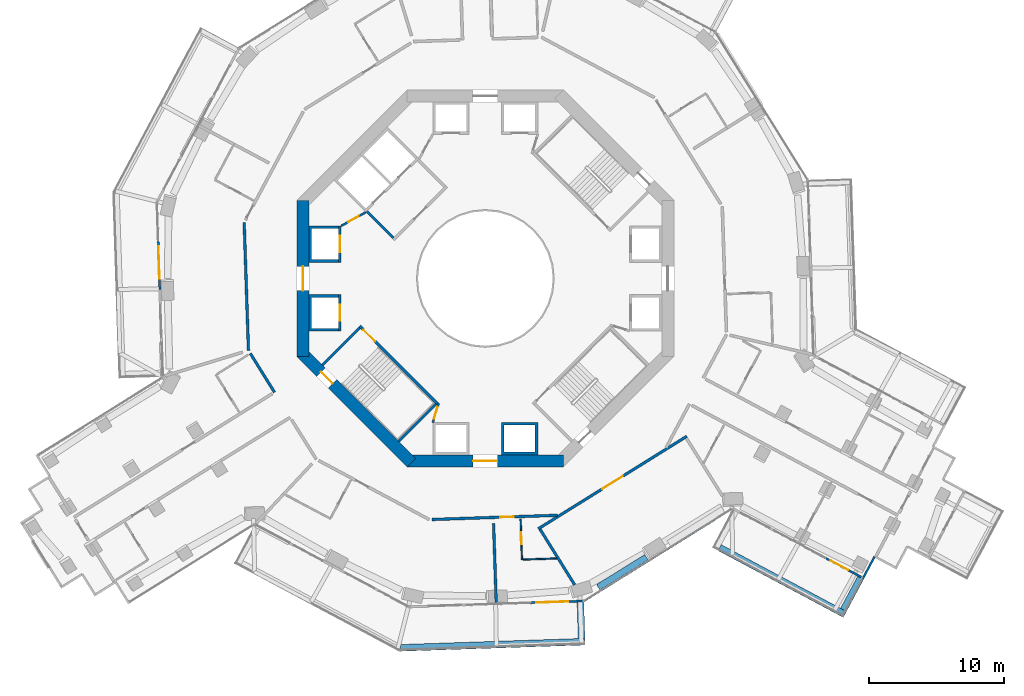
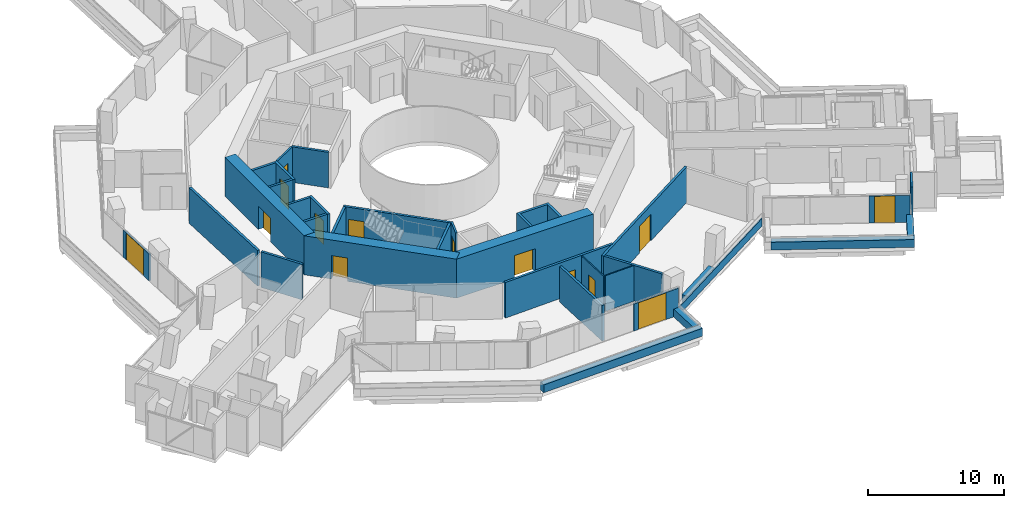
# One storey, part 19 of 27: 32 walls, 14 doors, 14 openings.
"""IFC4 building model written with IfcOpenShell, lengths in metres."""

import ifcopenshell
import ifcopenshell.guid

model = None  # the IFC model being written
_history = None  # IfcOwnerHistory: only IFC2X3 demands one
_inside = {}  # id of a spatial element -> (the spatial element, [elements in it])
_under = {}  # id of a project, library or spatial element -> (it, [spatial elements below it])
_declared = {}  # id of a project -> (the project, [libraries it declares])
_typed = {}  # id of a type object -> (the type object, [elements of that type])
_made_of = {}  # id of a material, layer set ... -> (it, [elements and type objects made of it])


def new_model(schema):
    """Start an empty IFC model of exactly this schema.

    Asked for "IFC4X3", IfcOpenShell would pick the latest addendum, in which some entities
    have other attributes; the version numbers below select the first issue.
    IFC2X3 requires an IfcOwnerHistory on every rooted entity: one is made here for all.
    """
    global model, _history
    if schema == "IFC4X3":
        model = ifcopenshell.file(schema_version=(4, 3, 0, 0))
    else:
        model = ifcopenshell.file(schema=schema)
    _inside.clear()
    _under.clear()
    _declared.clear()
    _typed.clear()
    _made_of.clear()
    _history = None
    if model.schema == "IFC2X3":
        org = make("IfcOrganization", Name="unknown")
        user = make(
            "IfcPersonAndOrganization",
            ThePerson=make("IfcPerson", FamilyName="unknown"),
            TheOrganization=org,
        )
        app = make(
            "IfcApplication",
            ApplicationDeveloper=org,
            Version="unknown",
            ApplicationFullName="unknown",
            ApplicationIdentifier="unknown",
        )
        _history = make(
            "IfcOwnerHistory",
            OwningUser=user,
            OwningApplication=app,
            ChangeAction="ADDED",
            CreationDate=0,
        )
    return model


def make(cls, **values):
    """One entity of the class cls with the attributes given. An attribute that is None is left unset."""
    return model.create_entity(
        cls, **{name: value for name, value in values.items() if value is not None}
    )


def rooted(cls, **values):
    """An entity with a GlobalId (a new one), such as an element, a storey or a relation."""
    return make(cls, GlobalId=ifcopenshell.guid.new(), OwnerHistory=_history, **values)


def si_unit(unit_type, name, prefix=None):
    """IfcSIUnit, for example si_unit("LENGTHUNIT", "METRE", prefix="MILLI")."""
    return make("IfcSIUnit", UnitType=unit_type, Prefix=prefix, Name=name)


def assignment(units):
    """IfcUnitAssignment: the units of a project."""
    return None if units is None else make("IfcUnitAssignment", Units=units)


def point(xyz):
    """IfcCartesianPoint."""
    return None if xyz is None else make("IfcCartesianPoint", Coordinates=xyz)


def direction(xyz):
    """IfcDirection."""
    return None if xyz is None else make("IfcDirection", DirectionRatios=xyz)


def frame(location, z_axis=None, x_axis=None):
    """IfcAxis2Placement3D, a coordinate frame: its origin and axes. An axis left out is left unset."""
    return make(
        "IfcAxis2Placement3D",
        Location=point(location),
        Axis=direction(z_axis),
        RefDirection=direction(x_axis),
    )


def frame_2d(location, x_axis=None):
    """IfcAxis2Placement2D, a coordinate frame in the plane: its origin and x axis."""
    return make(
        "IfcAxis2Placement2D", Location=point(location), RefDirection=direction(x_axis)
    )


def origin():
    """The frame at (0, 0, 0) with its axes left unset."""
    return frame((0.0, 0.0, 0.0))


def place(relative_to, where):
    """IfcLocalPlacement: puts the frame where relative to a parent placement (None: the world)."""
    return make(
        "IfcLocalPlacement", PlacementRelTo=relative_to, RelativePlacement=where
    )


def context(
    kind, dimensions, precision=None, world=None, true_north=None, identifier=None
):
    """IfcGeometricRepresentationContext, for example the 3D "Model" context."""
    return make(
        "IfcGeometricRepresentationContext",
        ContextIdentifier=identifier,
        ContextType=kind,
        CoordinateSpaceDimension=dimensions,
        Precision=precision,
        WorldCoordinateSystem=world,
        TrueNorth=true_north,
    )


def subcontext(parent, identifier, kind, view, scale=None):
    """IfcGeometricRepresentationSubContext, for example "Body" below "Model"."""
    return make(
        "IfcGeometricRepresentationSubContext",
        ContextIdentifier=identifier,
        ContextType=kind,
        ParentContext=parent,
        TargetScale=scale,
        TargetView=view,
    )


def project(units=None, contexts=None):
    """IfcProject with its units and contexts."""
    return rooted(
        "IfcProject",
        Name="project",
        RepresentationContexts=contexts,
        UnitsInContext=assignment(units),
    )


def spatial(cls, under=None, at=None, **own):
    """A site, building, storey or space (cls), placed at a placement, below another one or the project."""
    s = rooted(cls, ObjectPlacement=at, **own)
    if under is not None:
        _under.setdefault(under.id(), (under, []))[1].append(s)
    return s


def polyline(points):
    """IfcPolyline through the points."""
    return make("IfcPolyline", Points=[point(p) for p in points])


def profile(cls, at=None, kind="AREA", **sizes):
    """A parametric profile (cls). Its sizes go by their IFC names, for example OverallWidth=200.0."""
    return make(cls, ProfileType=kind, Position=at, **sizes)


def rectangle(**sizes):
    """IfcRectangleProfileDef."""
    return profile("IfcRectangleProfileDef", **sizes)


def outline(outer, holes=None, kind="AREA"):
    """IfcArbitraryClosedProfileDef: a profile drawn as a closed curve; with holes, ...WithVoids."""
    if holes is None:
        return make("IfcArbitraryClosedProfileDef", ProfileType=kind, OuterCurve=outer)
    return make(
        "IfcArbitraryProfileDefWithVoids",
        ProfileType=kind,
        OuterCurve=outer,
        InnerCurves=holes,
    )


def extrude(swept, where, along, depth):
    """IfcExtrudedAreaSolid: the profile swept, set in the frame where, extruded along a direction by depth."""
    return make(
        "IfcExtrudedAreaSolid",
        SweptArea=swept,
        Position=where,
        ExtrudedDirection=direction(along),
        Depth=depth,
    )


def shape(context_of_items, identifier, shape_type, items):
    """IfcShapeRepresentation: the items that make up one representation, for example the "Body"."""
    return make(
        "IfcShapeRepresentation",
        ContextOfItems=context_of_items,
        RepresentationIdentifier=identifier,
        RepresentationType=shape_type,
        Items=items,
    )


def material(Name=None, Category=None):
    """IfcMaterial."""
    return make("IfcMaterial", Name=Name, Category=Category)


def layer(
    of_material, thickness, ventilated=None, Name=None, Category=None, Priority=None
):
    """IfcMaterialLayer: one layer of a wall or slab, of a material (None: an air gap)."""
    return make(
        "IfcMaterialLayer",
        Material=of_material,
        LayerThickness=thickness,
        IsVentilated=ventilated,
        Name=Name,
        Category=Category,
        Priority=Priority,
    )


def layer_set(layers, Name=None):
    """IfcMaterialLayerSet."""
    return make("IfcMaterialLayerSet", MaterialLayers=layers, LayerSetName=Name)


def made_of(thing, what):
    """Note that an element or type object is made of a material, layer set ...; save() writes the relation."""
    if what is not None:
        _made_of.setdefault(what.id(), (what, []))[1].append(thing)
    return thing


def type_object(cls, material=None, **own):
    """A type object (cls), such as IfcWallType, which elements share."""
    return made_of(rooted(cls, **own), material)


def element(
    cls,
    number,
    at=None,
    inside=None,
    cuts=None,
    type_object=None,
    material=None,
    context=None,
    identifier="Body",
    shape_type=None,
    held_by="IfcProductDefinitionShape",
    body=None,
    shapes=None,
    **own,
):
    """One element of the class cls, such as IfcWall. Its Tag is "e" and its number.

    at: its placement. inside: the storey or other place that contains it. cuts: it is an
    opening in that element (IfcRelVoidsElement). A single representation is given by context,
    identifier, shape_type and body (its items); several are given by shapes. held_by: the class
    of the entity that holds the representations. save() writes the other relations.
    """
    e = rooted(cls, Tag="e%d" % number, ObjectPlacement=at, **own)
    if body is not None:
        shapes = [shape(context, identifier, shape_type, body)]
    if shapes is not None:
        e.Representation = make(held_by, Representations=shapes)
    if inside is not None:
        _inside.setdefault(inside.id(), (inside, []))[1].append(e)
    if cuts is not None:
        rooted(
            "IfcRelVoidsElement", RelatingBuildingElement=cuts, RelatedOpeningElement=e
        )
    if type_object is not None:
        _typed.setdefault(type_object.id(), (type_object, []))[1].append(e)
    return made_of(e, material)


def fill(opening, filler):
    """IfcRelFillsElement: the door or window that sits in an opening."""
    return rooted(
        "IfcRelFillsElement",
        RelatingOpeningElement=opening,
        RelatedBuildingElement=filler,
    )


def aggregate(whole, parts):
    """IfcRelAggregates: a whole, such as a stair, and the parts it consists of."""
    return rooted("IfcRelAggregates", RelatingObject=whole, RelatedObjects=parts)


def save(model, path):
    """Write the relations noted so far, then the file.

    IfcRelAggregates (storeys below a building ...), IfcRelContainedInSpatialStructure (elements
    in a storey), IfcRelDefinesByType, IfcRelAssociatesMaterial and IfcRelDeclares: one each for
    every whole, place, type object, material and project.
    """
    for whole, parts in _under.values():
        aggregate(whole, parts)
    for where, things in _inside.values():
        rooted(
            "IfcRelContainedInSpatialStructure",
            RelatedElements=things,
            RelatingStructure=where,
        )
    for kind, things in _typed.values():
        rooted("IfcRelDefinesByType", RelatedObjects=things, RelatingType=kind)
    for what, things in _made_of.values():
        rooted("IfcRelAssociatesMaterial", RelatedObjects=things, RelatingMaterial=what)
    for by, libraries in _declared.values():
        rooted("IfcRelDeclares", RelatingContext=by, RelatedDefinitions=libraries)
    model.write(path)


model = new_model("IFC4")

# Units and contexts
model_context = context("Model", 3, precision=1e-05, world=origin(), true_north=direction((0.0, 1.0)))
body_context = subcontext(model_context, "Body", "Model", "MODEL_VIEW")
ifc_project = project(units=[si_unit("LENGTHUNIT", "METRE"), si_unit("AREAUNIT", "SQUARE_METRE"), si_unit("VOLUMEUNIT", "CUBIC_METRE"), si_unit("PLANEANGLEUNIT", "RADIAN"), si_unit("MASSUNIT", "GRAM", prefix="KILO")], contexts=[model_context])

# Site, building, storey
site_placement = place(None, origin())
site = spatial("IfcSite", under=ifc_project, at=site_placement, CompositionType="ELEMENT")
building_placement = place(site_placement, origin())
building = spatial("IfcBuilding", under=site, at=building_placement, Name="Verdalira Terraces Hotel", CompositionType="ELEMENT")
storey_placement = place(building_placement, frame((0.0, 0.0, 42.5)))
storey = spatial("IfcBuildingStorey", under=building, at=storey_placement, Name="L08", CompositionType="ELEMENT", Elevation=42.5)

# Walls
ifc_material_1 = material(Name="Concrete C40", Category="concrete")
ifc_layer_1 = layer(ifc_material_1, 0.5)
ifc_layer_set_1 = layer_set([ifc_layer_1], Name="Balcony planter trough with tree")
wall_type_1 = type_object("IfcWallType", Name="Balcony planter trough with tree", PredefinedType="SOLIDWALL", material=ifc_layer_set_1)
wall_1_placement = place(storey_placement, frame((-6.307861, -27.435059, 0.0), z_axis=(0.0, 0.0, 1.0), x_axis=(0.999438769, 0.033498455, 0.0)))
element("IfcWall", 1, at=wall_1_placement, inside=storey, type_object=wall_type_1, Name="Balcony planter", PredefinedType="SOLIDWALL", context=body_context, shape_type="SweptSolid", body=[
    extrude(rectangle(XDim=13.723633, YDim=0.5, at=frame_2d((6.861816, 0.0))), origin(), (0.0, 0.0, 1.0), 0.699951),
])
wall_2_placement = place(storey_placement, frame((7.149658, -26.733887, 0.0), z_axis=(0.0, 0.0, 1.0), x_axis=(-0.033468433, 0.999439775, 0.0)))
element("IfcWall", 2, at=wall_2_placement, inside=storey, type_object=wall_type_1, Name="Balcony planter", PredefinedType="SOLIDWALL", context=body_context, shape_type="SweptSolid", body=[
    extrude(rectangle(XDim=2.698975, YDim=0.5, at=frame_2d((1.349609, 0.0))), origin(), (0.0, 0.0, 1.0), 0.699951),
])
wall_3_placement = place(storey_placement, frame((17.395996, -19.991455, 0.0), z_axis=(0.0, 0.0, 1.0), x_axis=(0.882285624, -0.470714433, 0.0)))
element("IfcWall", 3, at=wall_3_placement, inside=storey, type_object=wall_type_1, Name="Balcony planter", PredefinedType="SOLIDWALL", context=body_context, shape_type="SweptSolid", body=[
    extrude(rectangle(XDim=10.542725, YDim=0.5, at=frame_2d((5.271484, 0.0))), origin(), (0.0, 0.0, 1.0), 0.699951),
])
wall_4_placement = place(storey_placement, frame((26.594971, -24.615723, 0.0), z_axis=(0.0, 0.0, 1.0), x_axis=(0.470757253, 0.882262777, 0.0)))
element("IfcWall", 4, at=wall_4_placement, inside=storey, type_object=wall_type_1, Name="Balcony planter", PredefinedType="SOLIDWALL", context=body_context, shape_type="SweptSolid", body=[
    extrude(rectangle(XDim=2.698975, YDim=0.5, at=frame_2d((1.349609, 0.0))), origin(), (0.0, 0.0, 1.0), 0.699951),
])

# Wall, opening, door
ifc_material_2 = material(Name="Moisture-resistant gypsum board partition")
ifc_layer_2 = layer(ifc_material_2, 0.10009765625)
ifc_layer_set_2 = layer_set([ifc_layer_2], Name="Bathroom partition 100 mm")
wall_type_2 = type_object("IfcWallType", Name="Bathroom partition 100 mm", PredefinedType="PARTITIONING", material=ifc_layer_set_2)
wall_5_placement = place(storey_placement, frame((2.618896, -17.880615, 0.0), z_axis=(0.0, 0.0, 1.0), x_axis=(0.033528894, -0.999437749, 0.0)))
wall_5 = element("IfcWall", 5, at=wall_5_placement, inside=storey, type_object=wall_type_2, Name="Bathroom partition", PredefinedType="PARTITIONING", context=body_context, shape_type="SweptSolid", body=[
    extrude(rectangle(XDim=3.0, YDim=0.100098, at=frame_2d((1.5, 0.0))), origin(), (0.0, 0.0, 1.0), 3.189941),
])
opening_1_placement = place(wall_5_placement, frame((0.949951, 0.0, 0.0)))
opening_1 = element("IfcOpeningElement", 6, at=opening_1_placement, cuts=wall_5, Name="Opening L08-120", PredefinedType="OPENING", context=body_context, shape_type="SweptSolid", body=[
    extrude(rectangle(XDim=0.899902, YDim=2.100098, at=frame_2d((0.449951, 1.050049))), frame((0.0, 0.060059, 0.0), z_axis=(0.0, -1.0, 0.0), x_axis=(1.0, 0.0, 0.0)), (0.0, 0.0, 1.0), 0.120117),
])
ifc_material_3 = material(Name="Timber door", Category="wood")
door_type_1 = type_object("IfcDoorType", Name="Bathroom door 900 x 2100", OperationType="NOTDEFINED", PredefinedType="DOOR", material=ifc_material_3)
door_1_placement = place(opening_1_placement, origin())
door_1 = element("IfcDoor", 7, at=door_1_placement, inside=storey, type_object=door_type_1, Name="Bathroom door 0810", OperationType="SINGLE_SWING_RIGHT", OverallHeight=2.10009765625, OverallWidth=0.89990234375, PredefinedType="DOOR", context=body_context, shape_type="SweptSolid", body=[
    extrude(rectangle(XDim=0.899902, YDim=2.100098, at=frame_2d((0.449951, 1.050049))), frame((0.0, 0.024902, 0.0), z_axis=(0.0, -1.0, 0.0), x_axis=(1.0, 0.0, 0.0)), (0.0, 0.0, 1.0), 0.050049),
])
fill(opening_1, door_1)

# Walls
wall_6_placement = place(storey_placement, frame((5.314209, -20.791992, 0.0), z_axis=(0.0, 0.0, 1.0), x_axis=(-0.999440448, -0.033448345, 0.0)))
element("IfcWall", 8, at=wall_6_placement, inside=storey, type_object=wall_type_2, Name="Bathroom partition", PredefinedType="PARTITIONING", context=body_context, shape_type="SweptSolid", body=[
    extrude(rectangle(XDim=2.496338, YDim=0.100098, at=frame_2d((1.248047, 0.0))), origin(), (0.0, 0.0, 1.0), 3.189941),
])
ifc_material_4 = material(Name="Concrete C50", Category="concrete")
ifc_layer_3 = layer(ifc_material_4, 0.199951171875)
ifc_layer_set_3 = layer_set([ifc_layer_3], Name="Core RC wall 200 C50")
wall_type_3 = type_object("IfcWallType", Name="Core RC wall 200 C50", PredefinedType="SOLIDWALL", material=ifc_layer_set_3)
wall_7_placement = place(storey_placement, origin())
element("IfcWall", 9, at=wall_7_placement, inside=storey, type_object=wall_type_3, Name="L08 shaft wall W1", PredefinedType="SOLIDWALL", context=body_context, shape_type="SweptSolid", body=[
    extrude(outline(polyline([(-13.100098, 3.899902), (-10.899902, 3.899902), (-10.899902, 3.699951), (-12.899902, 3.699951), (-12.899902, 1.399902), (-10.899902, 1.399902), (-10.899902, 1.199951), (-13.100098, 1.199951), (-13.100098, 3.899902)])), origin(), (0.0, 0.0, 1.0), 3.189941),
])

# Wall, opening, door
wall_8_placement = place(storey_placement, frame((-10.800049, 1.199951, 0.0), z_axis=(0.0, 0.0, 1.0), x_axis=(0.0, 1.0, 0.0)))
wall_8 = element("IfcWall", 10, at=wall_8_placement, inside=storey, type_object=wall_type_3, Name="L08 shaft front wall W1", PredefinedType="SOLIDWALL", context=body_context, shape_type="SweptSolid", body=[
    extrude(rectangle(XDim=2.699951, YDim=0.199951, at=frame_2d((1.350098, 0.0))), origin(), (0.0, 0.0, 1.0), 3.189941),
])
opening_2_placement = place(wall_8_placement, frame((0.75, 0.0, 0.0)))
opening_2 = element("IfcOpeningElement", 11, at=opening_2_placement, cuts=wall_8, Name="Opening LD-L08-805", PredefinedType="OPENING", context=body_context, shape_type="SweptSolid", body=[
    extrude(rectangle(XDim=1.199951, YDim=2.100098, at=frame_2d((0.600098, 1.050049))), frame((0.0, 0.109863, 0.0), z_axis=(0.0, -1.0, 0.0), x_axis=(1.0, 0.0, 0.0)), (0.0, 0.0, 1.0), 0.219971),
])
ifc_material_5 = material(Name="Stainless steel", Category="steel")
door_type_2 = type_object("IfcDoorType", Name="Landing door 1200 x 2100", OperationType="NOTDEFINED", PredefinedType="DOOR", material=ifc_material_5)
door_2_placement = place(opening_2_placement, origin())
door_2 = element("IfcDoor", 12, at=door_2_placement, inside=storey, type_object=door_type_2, Name="Lift landing door LR5 L08", OperationType="DOUBLE_DOOR_SLIDING", OverallHeight=2.10009765625, OverallWidth=1.199951171875, PredefinedType="DOOR", context=body_context, shape_type="SweptSolid", body=[
    extrude(rectangle(XDim=1.199951, YDim=2.100098, at=frame_2d((0.600098, 1.050049))), frame((0.0, 0.024902, 0.0), z_axis=(0.0, -1.0, 0.0), x_axis=(1.0, 0.0, 0.0)), (0.0, 0.0, 1.0), 0.050049),
])
fill(opening_2, door_2)

# Wall
wall_9_placement = place(storey_placement, origin())
element("IfcWall", 13, at=wall_9_placement, inside=storey, type_object=wall_type_3, Name="L08 shaft wall W2", PredefinedType="SOLIDWALL", context=body_context, shape_type="SweptSolid", body=[
    extrude(outline(polyline([(-13.100098, -3.899902), (-13.100098, -1.199951), (-10.899902, -1.199951), (-10.899902, -1.399902), (-12.899902, -1.399902), (-12.899902, -3.699951), (-10.899902, -3.699951), (-10.899902, -3.899902), (-13.100098, -3.899902)])), origin(), (0.0, 0.0, 1.0), 3.189941),
])

# Wall, opening, door
wall_10_placement = place(storey_placement, frame((-10.800049, -1.199951, 0.0), z_axis=(0.0, 0.0, 1.0), x_axis=(0.0, -1.0, 0.0)))
wall_10 = element("IfcWall", 14, at=wall_10_placement, inside=storey, type_object=wall_type_3, Name="L08 shaft front wall W2", PredefinedType="SOLIDWALL", context=body_context, shape_type="SweptSolid", body=[
    extrude(rectangle(XDim=2.699951, YDim=0.199951, at=frame_2d((1.350098, 0.0))), origin(), (0.0, 0.0, 1.0), 3.189941),
])
opening_3_placement = place(wall_10_placement, frame((0.75, 0.0, 0.0)))
opening_3 = element("IfcOpeningElement", 15, at=opening_3_placement, cuts=wall_10, Name="Opening LD-L08-806", PredefinedType="OPENING", context=body_context, shape_type="SweptSolid", body=[
    extrude(rectangle(XDim=1.199951, YDim=2.100098, at=frame_2d((0.600098, 1.050049))), frame((0.0, 0.109863, 0.0), z_axis=(0.0, -1.0, 0.0), x_axis=(1.0, 0.0, 0.0)), (0.0, 0.0, 1.0), 0.219971),
])
door_3_placement = place(opening_3_placement, origin())
door_3 = element("IfcDoor", 16, at=door_3_placement, inside=storey, type_object=door_type_2, Name="Lift landing door LR6 L08", OperationType="DOUBLE_DOOR_SLIDING", OverallHeight=2.10009765625, OverallWidth=1.199951171875, PredefinedType="DOOR", context=body_context, shape_type="SweptSolid", body=[
    extrude(rectangle(XDim=1.199951, YDim=2.100098, at=frame_2d((0.600098, 1.050049))), frame((0.0, 0.024902, 0.0), z_axis=(0.0, -1.0, 0.0), x_axis=(1.0, 0.0, 0.0)), (0.0, 0.0, 1.0), 0.050049),
])
fill(opening_3, door_3)

# Wall
wall_11_placement = place(storey_placement, origin())
element("IfcWall", 17, at=wall_11_placement, inside=storey, type_object=wall_type_3, Name="L08 shaft wall S2", PredefinedType="SOLIDWALL", context=body_context, shape_type="SweptSolid", body=[
    extrude(outline(polyline([(3.899902, -10.699951), (3.899902, -13.100098), (1.199951, -13.100098), (1.199951, -10.699951), (3.899902, -10.699951)]), holes=[polyline([(1.399902, -12.899902), (3.699951, -12.899902), (3.699951, -10.899902), (1.399902, -10.899902), (1.399902, -12.899902)])]), origin(), (0.0, 0.0, 1.0), 3.189941),
])

# Wall, opening, door
wall_12_placement = place(storey_placement, frame((-3.5354, -9.33374, 0.0), z_axis=(0.0, 0.0, 1.0), x_axis=(-0.707106781, 0.707106781, 0.0)))
wall_12 = element("IfcWall", 18, at=wall_12_placement, inside=storey, type_object=wall_type_3, Name="L08 stair ST2 front wall", PredefinedType="SOLIDWALL", context=body_context, shape_type="SweptSolid", body=[
    extrude(rectangle(XDim=8.200195, YDim=0.199951, at=frame_2d((4.100098, 0.0))), origin(), (0.0, 0.0, 1.0), 3.189941),
])
opening_4_placement = place(wall_12_placement, frame((6.600098, 0.0, 0.0)))
opening_4 = element("IfcOpeningElement", 19, at=opening_4_placement, cuts=wall_12, Name="Opening L08-810", PredefinedType="OPENING", context=body_context, shape_type="SweptSolid", body=[
    extrude(rectangle(XDim=1.199951, YDim=2.100098, at=frame_2d((0.600098, 1.050049))), frame((0.0, 0.109863, 0.0), z_axis=(0.0, -1.0, 0.0), x_axis=(1.0, 0.0, 0.0)), (0.0, 0.0, 1.0), 0.219971),
])
ifc_material_6 = material(Name="Steel fire door", Category="steel")
door_type_3 = type_object("IfcDoorType", Name="Stair door 1200 x 2100", OperationType="NOTDEFINED", PredefinedType="DOOR", material=ifc_material_6)
door_4_placement = place(opening_4_placement, origin())
door_4 = element("IfcDoor", 20, at=door_4_placement, inside=storey, type_object=door_type_3, Name="Stair door ST2 L08", OperationType="SINGLE_SWING_RIGHT", OverallHeight=2.10009765625, OverallWidth=1.199951171875, PredefinedType="DOOR", context=body_context, shape_type="SweptSolid", body=[
    extrude(rectangle(XDim=1.199951, YDim=2.100098, at=frame_2d((0.600098, 1.050049))), frame((0.0, 0.024902, 0.0), z_axis=(0.0, -1.0, 0.0), x_axis=(1.0, 0.0, 0.0)), (0.0, 0.0, 1.0), 0.050049),
])
fill(opening_4, door_4)

# Walls
for number, where, z_axis, x_axis, name in (
    (21, (-9.33374, -3.677002, 0.0), (0.0, 0.0, 1.0), (-0.707106781, -0.707106781, 0.0), "L08 stair ST2 end wall 1"),
    (22, (-3.677002, -9.33374, 0.0), (0.0, 0.0, 1.0), (-0.707106781, -0.707106781, 0.0), "L08 stair ST2 end wall 2"),
):
    element("IfcWall", number, at=place(storey_placement, frame(where, z_axis=z_axis, x_axis=x_axis)), inside=storey, type_object=wall_type_3, Name=name, PredefinedType="SOLIDWALL", context=body_context, shape_type="SweptSolid", body=[
        extrude(rectangle(XDim=3.900146, YDim=0.199951, at=frame_2d((1.950195, 0.0))), origin(), (0.0, 0.0, 1.0), 3.189941),
    ])
wall_13_placement = place(storey_placement, frame((-6.823486, 3.005127, 0.0), z_axis=(0.0, 0.0, 1.0), x_axis=(-0.707106781, 0.707106781, 0.0)))
element("IfcWall", 23, at=wall_13_placement, inside=storey, type_object=wall_type_3, Name="L08 fire lobby wall", PredefinedType="SOLIDWALL", context=body_context, shape_type="SweptSolid", body=[
    extrude(rectangle(XDim=2.800049, YDim=0.199951, at=frame_2d((1.399902, 0.0))), origin(), (0.0, 0.0, 1.0), 3.189941),
])

# Wall, opening, door
ifc_material_7 = material(Name="Gypsum board partition")
ifc_layer_4 = layer(ifc_material_7, 0.14990234375)
ifc_layer_set_4 = layer_set([ifc_layer_4], Name="Core partition 150 mm")
wall_type_4 = type_object("IfcWallType", Name="Core partition 150 mm", PredefinedType="PARTITIONING", material=ifc_layer_set_4)
wall_14_placement = place(storey_placement, frame((-8.874268, 4.914307, 0.0), z_axis=(0.0, 0.0, 1.0), x_axis=(-0.874129705, -0.485692555, 0.0)))
wall_14 = element("IfcWall", 24, at=wall_14_placement, inside=storey, type_object=wall_type_4, Name="Room partition L08", PredefinedType="PARTITIONING", context=body_context, shape_type="SweptSolid", body=[
    extrude(rectangle(XDim=2.088623, YDim=0.149902, at=frame_2d((1.044434, 0.0))), origin(), (0.0, 0.0, 1.0), 3.189941),
])
opening_5_placement = place(wall_14_placement, frame((0.594238, 0.0, 0.0)))
opening_5 = element("IfcOpeningElement", 25, at=opening_5_placement, cuts=wall_14, Name="Opening L08-822", PredefinedType="OPENING", context=body_context, shape_type="SweptSolid", body=[
    extrude(rectangle(XDim=0.899902, YDim=2.100098, at=frame_2d((0.449951, 1.050049))), frame((0.0, 0.084961, 0.0), z_axis=(0.0, -1.0, 0.0), x_axis=(1.0, 0.0, 0.0)), (0.0, 0.0, 1.0), 0.169922),
])
ifc_material_8 = material(Name="Steel fire door", Category="steel")
door_type_4 = type_object("IfcDoorType", Name="Core room door 900 x 2100", OperationType="NOTDEFINED", PredefinedType="DOOR", material=ifc_material_8)
door_5_placement = place(opening_5_placement, origin())
door_5 = element("IfcDoor", 26, at=door_5_placement, inside=storey, type_object=door_type_4, Name="Door L08 room3", OperationType="SINGLE_SWING_LEFT", OverallHeight=2.10009765625, OverallWidth=0.89990234375, PredefinedType="DOOR", context=body_context, shape_type="SweptSolid", body=[
    extrude(rectangle(XDim=0.899902, YDim=2.100098, at=frame_2d((0.449951, 1.050049))), frame((0.0, 0.024902, 0.0), z_axis=(0.0, -1.0, 0.0), x_axis=(1.0, 0.0, 0.0)), (0.0, 0.0, 1.0), 0.050049),
])
fill(opening_5, door_5)

wall_15_placement = place(storey_placement, frame((-3.464844, -9.263184, 0.0), z_axis=(0.0, 0.0, 1.0), x_axis=(-0.289808785, -0.957084567, 0.0)))
wall_15 = element("IfcWall", 27, at=wall_15_placement, inside=storey, type_object=wall_type_4, Name="Room partition L08", PredefinedType="PARTITIONING", context=body_context, shape_type="SweptSolid", body=[
    extrude(rectangle(XDim=1.501221, YDim=0.149902, at=frame_2d((0.750488, 0.0))), origin(), (0.0, 0.0, 1.0), 3.189941),
])
opening_6_placement = place(wall_15_placement, frame((0.300781, 0.0, 0.0)))
opening_6 = element("IfcOpeningElement", 28, at=opening_6_placement, cuts=wall_15, Name="Opening L08-823", PredefinedType="OPENING", context=body_context, shape_type="SweptSolid", body=[
    extrude(rectangle(XDim=0.899902, YDim=2.100098, at=frame_2d((0.449951, 1.050049))), frame((0.0, 0.084961, 0.0), z_axis=(0.0, -1.0, 0.0), x_axis=(1.0, 0.0, 0.0)), (0.0, 0.0, 1.0), 0.169922),
])
door_6_placement = place(opening_6_placement, origin())
door_6 = element("IfcDoor", 29, at=door_6_placement, inside=storey, type_object=door_type_4, Name="Door L08 room5", OperationType="SINGLE_SWING_LEFT", OverallHeight=2.10009765625, OverallWidth=0.89990234375, PredefinedType="DOOR", context=body_context, shape_type="SweptSolid", body=[
    extrude(rectangle(XDim=0.899902, YDim=2.100098, at=frame_2d((0.449951, 1.050049))), frame((0.0, 0.024902, 0.0), z_axis=(0.0, -1.0, 0.0), x_axis=(1.0, 0.0, 0.0)), (0.0, 0.0, 1.0), 0.050049),
])
fill(opening_6, door_6)

ifc_material_9 = material(Name="Concrete C70", Category="concrete")
ifc_layer_5 = layer(ifc_material_9, 0.89990234375)
ifc_layer_set_5 = layer_set([ifc_layer_5], Name="Core wall 900 C70")
wall_type_5 = type_object("IfcWallType", Name="Core wall 900 C70", PredefinedType="SHEAR", material=ifc_layer_set_5)
wall_16_placement = place(storey_placement, frame((-13.550049, 5.799072, 0.0), z_axis=(0.0, 0.0, 1.0), x_axis=(0.0, -1.0, 0.0)))
wall_16 = element("IfcWall", 30, at=wall_16_placement, inside=storey, type_object=wall_type_5, Name="Core wall CW-L08-5", PredefinedType="SHEAR", context=body_context, shape_type="SweptSolid", body=[
    extrude(rectangle(XDim=11.598145, YDim=0.899902, at=frame_2d((5.799072, 0.0))), origin(), (0.0, 0.0, 1.0), 3.5),
])
opening_7_placement = place(wall_16_placement, frame((4.898926, 0.0, 0.0)))
opening_7 = element("IfcOpeningElement", 31, at=opening_7_placement, cuts=wall_16, Name="Opening L08-814", PredefinedType="OPENING", context=body_context, shape_type="SweptSolid", body=[
    extrude(rectangle(XDim=1.800049, YDim=2.100098, at=frame_2d((0.899902, 1.050049))), frame((0.0, 0.459961, 0.0), z_axis=(0.0, -1.0, 0.0), x_axis=(1.0, 0.0, 0.0)), (0.0, 0.0, 1.0), 0.919922),
])
ifc_material_10 = material(Name="Steel fire door", Category="steel")
door_type_5 = type_object("IfcDoorType", Name="Core entry door pair 1800 x 2100", OperationType="NOTDEFINED", PredefinedType="DOOR", material=ifc_material_10)
door_7_placement = place(opening_7_placement, origin())
door_7 = element("IfcDoor", 32, at=door_7_placement, inside=storey, type_object=door_type_5, Name="Core entry door L08 4", OperationType="DOUBLE_DOOR_SINGLE_SWING", OverallHeight=2.10009765625, OverallWidth=1.800048828125, PredefinedType="DOOR", context=body_context, shape_type="SweptSolid", body=[
    extrude(rectangle(XDim=1.800049, YDim=2.100098, at=frame_2d((0.899902, 1.050049))), frame((0.0, 0.024902, 0.0), z_axis=(0.0, -1.0, 0.0), x_axis=(1.0, 0.0, 0.0)), (0.0, 0.0, 1.0), 0.050049),
])
fill(opening_7, door_7)

wall_17_placement = place(storey_placement, frame((-13.681885, -5.480713, 0.0), z_axis=(0.0, 0.0, 1.0), x_axis=(0.707106781, -0.707106781, 0.0)))
wall_17 = element("IfcWall", 33, at=wall_17_placement, inside=storey, type_object=wall_type_5, Name="Core wall CW-L08-6", PredefinedType="SHEAR", context=body_context, shape_type="SweptSolid", body=[
    extrude(rectangle(XDim=11.598145, YDim=0.899902, at=frame_2d((5.799072, 0.0))), origin(), (0.0, 0.0, 1.0), 3.5),
])
opening_8_placement = place(wall_17_placement, frame((2.099121, 0.0, 0.0)))
opening_8 = element("IfcOpeningElement", 34, at=opening_8_placement, cuts=wall_17, Name="Opening L08-817", PredefinedType="OPENING", context=body_context, shape_type="SweptSolid", body=[
    extrude(rectangle(XDim=1.199951, YDim=2.100098, at=frame_2d((0.600098, 1.050049))), frame((0.0, 0.459961, 0.0), z_axis=(0.0, -1.0, 0.0), x_axis=(1.0, 0.0, 0.0)), (0.0, 0.0, 1.0), 0.919922),
])
door_8_placement = place(opening_8_placement, origin())
door_8 = element("IfcDoor", 35, at=door_8_placement, inside=storey, type_object=door_type_3, Name="Stair exit door ST2 L08", OperationType="SINGLE_SWING_LEFT", OverallHeight=2.10009765625, OverallWidth=1.199951171875, PredefinedType="DOOR", context=body_context, shape_type="SweptSolid", body=[
    extrude(rectangle(XDim=1.199951, YDim=2.100098, at=frame_2d((0.600098, 1.050049))), frame((0.0, 0.024902, 0.0), z_axis=(0.0, -1.0, 0.0), x_axis=(1.0, 0.0, 0.0)), (0.0, 0.0, 1.0), 0.050049),
])
fill(opening_8, door_8)

wall_18_placement = place(storey_placement, frame((-5.799072, -13.550049, 0.0), z_axis=(0.0, 0.0, 1.0), x_axis=(1.0, 0.0, 0.0)))
wall_18 = element("IfcWall", 36, at=wall_18_placement, inside=storey, type_object=wall_type_5, Name="Core wall CW-L08-7", PredefinedType="SHEAR", context=body_context, shape_type="SweptSolid", body=[
    extrude(rectangle(XDim=11.598145, YDim=0.899902, at=frame_2d((5.799072, 0.0))), origin(), (0.0, 0.0, 1.0), 3.5),
])
opening_9_placement = place(wall_18_placement, frame((4.898926, 0.0, 0.0)))
opening_9 = element("IfcOpeningElement", 37, at=opening_9_placement, cuts=wall_18, Name="Opening L08-815", PredefinedType="OPENING", context=body_context, shape_type="SweptSolid", body=[
    extrude(rectangle(XDim=1.800049, YDim=2.100098, at=frame_2d((0.899902, 1.050049))), frame((0.0, 0.459961, 0.0), z_axis=(0.0, -1.0, 0.0), x_axis=(1.0, 0.0, 0.0)), (0.0, 0.0, 1.0), 0.919922),
])
door_9_placement = place(opening_9_placement, origin())
door_9 = element("IfcDoor", 38, at=door_9_placement, inside=storey, type_object=door_type_5, Name="Core entry door L08 6", OperationType="DOUBLE_DOOR_SINGLE_SWING", OverallHeight=2.10009765625, OverallWidth=1.800048828125, PredefinedType="DOOR", context=body_context, shape_type="SweptSolid", body=[
    extrude(rectangle(XDim=1.800049, YDim=2.100098, at=frame_2d((0.899902, 1.050049))), frame((0.0, 0.024902, 0.0), z_axis=(0.0, -1.0, 0.0), x_axis=(1.0, 0.0, 0.0)), (0.0, 0.0, 1.0), 0.050049),
])
fill(opening_9, door_9)

# Walls
ifc_material_11 = material(Name="Fire-rated gypsum board wall")
ifc_layer_6 = layer(ifc_material_11, 0.199951171875)
ifc_layer_set_6 = layer_set([ifc_layer_6], Name="Demising wall 200 mm")
wall_type_6 = type_object("IfcWallType", Name="Demising wall 200 mm", PredefinedType="SOLIDWALL", material=ifc_layer_set_6)
wall_19_placement = place(storey_placement, frame((0.610107, -18.195312, 0.0), z_axis=(0.0, 0.0, 1.0), x_axis=(0.033460809, -0.99944003, 0.0)))
element("IfcWall", 39, at=wall_19_placement, inside=storey, type_object=wall_type_6, Name="Demising wall", PredefinedType="SOLIDWALL", context=body_context, shape_type="SweptSolid", body=[
    extrude(rectangle(XDim=5.902832, YDim=0.199951, at=frame_2d((2.951416, 0.0))), origin(), (0.0, 0.0, 1.0), 3.189941),
])
ifc_material_12 = material(Name="Fire-rated gypsum board wall")
ifc_layer_7 = layer(ifc_material_12, 0.199951171875)
ifc_layer_set_7 = layer_set([ifc_layer_7], Name="Guest corridor wall 200 mm")
wall_type_7 = type_object("IfcWallType", Name="Guest corridor wall 200 mm", PredefinedType="SOLIDWALL", material=ifc_layer_set_7)
wall_20_placement = place(storey_placement, frame((-17.907715, 4.160156, 0.0), z_axis=(0.0, 0.0, 1.0), x_axis=(0.033506179, -0.99943851, 0.0)))
element("IfcWall", 40, at=wall_20_placement, inside=storey, type_object=wall_type_7, Name="Guest corridor wall", PredefinedType="SOLIDWALL", context=body_context, shape_type="SweptSolid", body=[
    extrude(rectangle(XDim=9.516113, YDim=0.199951, at=frame_2d((4.758057, 0.0))), origin(), (0.0, 0.0, 1.0), 3.189941),
])
wall_21_placement = place(storey_placement, frame((-17.452393, -5.569824, 0.0), z_axis=(0.0, 0.0, 1.0), x_axis=(0.528700987, -0.848808145, 0.0)))
element("IfcWall", 41, at=wall_21_placement, inside=storey, type_object=wall_type_7, Name="Guest corridor wall", PredefinedType="SOLIDWALL", context=body_context, shape_type="SweptSolid", body=[
    extrude(rectangle(XDim=3.400146, YDim=0.199951, at=frame_2d((1.700195, 0.0))), origin(), (0.0, 0.0, 1.0), 3.189941),
])

# Wall, opening, door
wall_22_placement = place(storey_placement, frame((5.370605, -17.588379, 0.0), z_axis=(0.0, 0.0, 1.0), x_axis=(-0.999438766, -0.033498549, 0.0)))
wall_22 = element("IfcWall", 42, at=wall_22_placement, inside=storey, type_object=wall_type_7, Name="Guest corridor wall", PredefinedType="SOLIDWALL", context=body_context, shape_type="SweptSolid", body=[
    extrude(rectangle(XDim=9.335938, YDim=0.199951, at=frame_2d((4.667969, 0.0))), origin(), (0.0, 0.0, 1.0), 3.189941),
])
opening_10_placement = place(wall_22_placement, frame((3.26001, 0.0, 0.0)))
opening_10 = element("IfcOpeningElement", 43, at=opening_10_placement, cuts=wall_22, Name="Opening L08-119", PredefinedType="OPENING", context=body_context, shape_type="SweptSolid", body=[
    extrude(rectangle(XDim=1.0, YDim=2.100098, at=frame_2d((0.5, 1.050049))), frame((0.0, 0.109863, 0.0), z_axis=(0.0, -1.0, 0.0), x_axis=(1.0, 0.0, 0.0)), (0.0, 0.0, 1.0), 0.219971),
])
ifc_material_13 = material(Name="Timber fire door", Category="wood")
door_type_6 = type_object("IfcDoorType", Name="Guest entry door 1000 x 2100", OperationType="NOTDEFINED", PredefinedType="DOOR", material=ifc_material_13)
door_10_placement = place(opening_10_placement, origin())
door_10 = element("IfcDoor", 44, at=door_10_placement, inside=storey, type_object=door_type_6, Name="Guest entry door 0810", OperationType="SINGLE_SWING_RIGHT", OverallHeight=2.10009765625, OverallWidth=1.0, PredefinedType="DOOR", context=body_context, shape_type="SweptSolid", body=[
    extrude(rectangle(XDim=1.0, YDim=2.100098, at=frame_2d((0.5, 1.050049))), frame((0.0, 0.024902, 0.0), z_axis=(0.0, -1.0, 0.0), x_axis=(1.0, 0.0, 0.0)), (0.0, 0.0, 1.0), 0.050049),
])
fill(opening_10, door_10)

ifc_material_14 = material(Name="Terracotta cladding", Category="masonry")
ifc_layer_8 = layer(ifc_material_14, 0.199951171875)
ifc_layer_set_8 = layer_set([ifc_layer_8], Name="Loggia back wall 200")
wall_type_8 = type_object("IfcWallType", Name="Loggia back wall 200", PredefinedType="SOLIDWALL", material=ifc_layer_set_8)
wall_23_placement = place(storey_placement, frame((14.959473, -11.721191, 0.0), z_axis=(0.0, 0.0, 1.0), x_axis=(-0.848786551, -0.528735653, 0.0)))
wall_23 = element("IfcWall", 45, at=wall_23_placement, inside=storey, type_object=wall_type_8, Name="Loggia back wall", PredefinedType="SOLIDWALL", context=body_context, shape_type="SweptSolid", body=[
    extrude(rectangle(XDim=13.0, YDim=0.199951, at=frame_2d((6.5, 0.0))), origin(), (0.0, 0.0, 1.0), 3.189941),
])
opening_11_placement = place(wall_23_placement, frame((5.600098, 0.0, 0.0)))
opening_11 = element("IfcOpeningElement", 46, at=opening_11_placement, cuts=wall_23, Name="Opening L08-L01", PredefinedType="OPENING", context=body_context, shape_type="SweptSolid", body=[
    extrude(rectangle(XDim=1.800049, YDim=2.399902, at=frame_2d((0.899902, 1.199951))), frame((0.0, 0.109863, 0.0), z_axis=(0.0, -1.0, 0.0), x_axis=(1.0, 0.0, 0.0)), (0.0, 0.0, 1.0), 0.219971),
])
ifc_material_15 = material(Name="Clear glass", Category="glass")
door_type_7 = type_object("IfcDoorType", Name="Garden double door 1800x2400", OperationType="NOTDEFINED", PredefinedType="DOOR", material=ifc_material_15)
door_11_placement = place(opening_11_placement, origin())
door_11 = element("IfcDoor", 47, at=door_11_placement, inside=storey, type_object=door_type_7, Name="Loggia double door", OperationType="DOUBLE_DOOR_SINGLE_SWING", OverallHeight=2.39990234375, OverallWidth=1.800048828125, PredefinedType="DOOR", context=body_context, shape_type="SweptSolid", body=[
    extrude(rectangle(XDim=1.800049, YDim=2.399902, at=frame_2d((0.899902, 1.199951))), frame((0.0, 0.024902, 0.0), z_axis=(0.0, -1.0, 0.0), x_axis=(1.0, 0.0, 0.0)), (0.0, 0.0, 1.0), 0.050049),
])
fill(opening_11, door_11)

# Walls
wall_24_placement = place(storey_placement, frame((6.633057, -22.752686, 0.0), z_axis=(0.0, 0.0, 1.0), x_axis=(-0.528716192, 0.848798674, 0.0)))
element("IfcWall", 48, at=wall_24_placement, inside=storey, type_object=wall_type_8, Name="Loggia side wall", PredefinedType="SOLIDWALL", context=body_context, shape_type="SweptSolid", body=[
    extrude(rectangle(XDim=4.86084, YDim=0.199951, at=frame_2d((2.43042, 0.0))), origin(), (0.0, 0.0, 1.0), 3.189941),
])
ifc_material_16 = material(Name="Concrete C40", Category="concrete")
ifc_layer_9 = layer(ifc_material_16, 0.5)
ifc_layer_set_9 = layer_set([ifc_layer_9], Name="Loggia planter trough with tree")
wall_type_9 = type_object("IfcWallType", Name="Loggia planter trough with tree", PredefinedType="SOLIDWALL", material=ifc_layer_set_9)
wall_25_placement = place(storey_placement, frame((8.39624, -22.937256, 0.0), z_axis=(0.0, 0.0, 1.0), x_axis=(0.848800467, 0.528713313, 0.0)))
element("IfcWall", 49, at=wall_25_placement, inside=storey, type_object=wall_type_9, Name="Loggia planter", PredefinedType="SOLIDWALL", context=body_context, shape_type="SweptSolid", body=[
    extrude(rectangle(XDim=4.201172, YDim=0.5, at=frame_2d((2.100586, 0.0))), origin(), (0.0, 0.0, 1.0), 0.699951),
])
ifc_material_17 = material(Name="Concrete C40", Category="concrete")
ifc_layer_10 = layer(ifc_material_17, 0.10009765625)
ifc_layer_set_10 = layer_set([ifc_layer_10], Name="Loggia upstand 100")
wall_type_10 = type_object("IfcWallType", Name="Loggia upstand 100", PredefinedType="SOLIDWALL", material=ifc_layer_set_10)
wall_26_placement = place(storey_placement, frame((7.350586, -23.942139, 0.0), z_axis=(0.0, 0.0, 1.0), x_axis=(0.8487921, 0.528726745, 0.0)))
element("IfcWall", 50, at=wall_26_placement, inside=storey, type_object=wall_type_10, Name="Loggia upstand", PredefinedType="SOLIDWALL", context=body_context, shape_type="SweptSolid", body=[
    extrude(rectangle(XDim=12.839844, YDim=0.100098, at=frame_2d((6.419922, 0.0))), origin(), (0.0, 0.0, 1.0), 0.699951),
])
ifc_material_18 = material(Name="Terracotta cladding", Category="masonry")
ifc_layer_11 = layer(ifc_material_18, 0.14990234375)
ifc_layer_set_11 = layer_set([ifc_layer_11], Name="Terracotta clad wall 150")
wall_type_11 = type_object("IfcWallType", Name="Terracotta clad wall 150", PredefinedType="SOLIDWALL", material=ifc_layer_set_11)
wall_27_placement = place(storey_placement, frame((28.020264, -22.315918, 0.0), z_axis=(0.0, 0.0, 1.0), x_axis=(0.470703121, 0.882291659, 0.0)))
element("IfcWall", 51, at=wall_27_placement, inside=storey, type_object=wall_type_11, Name="Terracotta cladding wall", PredefinedType="SOLIDWALL", context=body_context, shape_type="SweptSolid", body=[
    extrude(rectangle(XDim=1.875, YDim=0.149902, at=frame_2d((0.9375, 0.0))), origin(), (0.0, 0.0, 1.0), 3.189941),
])

# Wall, opening, door
ifc_material_19 = material(Name="Terracotta cladding", Category="masonry")
ifc_layer_12 = layer(ifc_material_19, 0.14990234375)
ifc_layer_set_12 = layer_set([ifc_layer_12], Name="Terracotta door pier 150")
wall_type_12 = type_object("IfcWallType", Name="Terracotta door pier 150", PredefinedType="SOLIDWALL", material=ifc_layer_set_12)
wall_28_placement = place(storey_placement, frame((-24.290283, 2.787842, 0.0), z_axis=(0.0, 0.0, 1.0), x_axis=(0.033499981, -0.999438718, 0.0)))
wall_28 = element("IfcWall", 52, at=wall_28_placement, inside=storey, type_object=wall_type_12, Name="Terracotta door pier", PredefinedType="SOLIDWALL", context=body_context, shape_type="SweptSolid", body=[
    extrude(rectangle(XDim=3.600098, YDim=0.149902, at=frame_2d((1.800049, 0.0))), origin(), (0.0, 0.0, 1.0), 2.425049),
])
opening_12_placement = place(wall_28_placement, frame((0.399902, 0.0, 0.0)))
opening_12 = element("IfcOpeningElement", 53, at=opening_12_placement, cuts=wall_28, Name="Opening L08-B09", PredefinedType="OPENING", context=body_context, shape_type="SweptSolid", body=[
    extrude(rectangle(XDim=2.399902, YDim=2.399902, at=frame_2d((1.199951, 1.199951))), frame((0.0, 0.084961, 0.0), z_axis=(0.0, -1.0, 0.0), x_axis=(1.0, 0.0, 0.0)), (0.0, 0.0, 1.0), 0.169922),
])
ifc_material_20 = material(Name="Clear glass", Category="glass")
door_type_8 = type_object("IfcDoorType", Name="Balcony sliding door 2400x2400", OperationType="NOTDEFINED", PredefinedType="DOOR", material=ifc_material_20)
door_12_placement = place(opening_12_placement, origin())
door_12 = element("IfcDoor", 54, at=door_12_placement, inside=storey, type_object=door_type_8, Name="Balcony sliding door", OperationType="SLIDING_TO_RIGHT", OverallHeight=2.39990234375, OverallWidth=2.39990234375, PredefinedType="DOOR", context=body_context, shape_type="SweptSolid", body=[
    extrude(rectangle(XDim=2.399902, YDim=2.399902, at=frame_2d((1.199951, 1.199951))), frame((0.0, 0.024902, 0.0), z_axis=(0.0, -1.0, 0.0), x_axis=(1.0, 0.0, 0.0)), (0.0, 0.0, 1.0), 0.050049),
])
fill(opening_12, door_12)

wall_29_placement = place(storey_placement, frame((3.366943, -24.083984, 0.0), z_axis=(0.0, 0.0, 1.0), x_axis=(0.99944008, 0.033459324, 0.0)))
wall_29 = element("IfcWall", 55, at=wall_29_placement, inside=storey, type_object=wall_type_12, Name="Terracotta door pier", PredefinedType="SOLIDWALL", context=body_context, shape_type="SweptSolid", body=[
    extrude(rectangle(XDim=3.881836, YDim=0.149902, at=frame_2d((1.940918, 0.0))), origin(), (0.0, 0.0, 1.0), 2.425049),
])
opening_13_placement = place(wall_29_placement, frame((0.399902, 0.0, 0.0)))
opening_13 = element("IfcOpeningElement", 56, at=opening_13_placement, cuts=wall_29, Name="Opening L08-B14", PredefinedType="OPENING", context=body_context, shape_type="SweptSolid", body=[
    extrude(rectangle(XDim=2.399902, YDim=2.399902, at=frame_2d((1.199951, 1.199951))), frame((0.0, 0.084961, 0.0), z_axis=(0.0, -1.0, 0.0), x_axis=(1.0, 0.0, 0.0)), (0.0, 0.0, 1.0), 0.169922),
])
door_13_placement = place(opening_13_placement, origin())
door_13 = element("IfcDoor", 57, at=door_13_placement, inside=storey, type_object=door_type_8, Name="Balcony sliding door", OperationType="SLIDING_TO_RIGHT", OverallHeight=2.39990234375, OverallWidth=2.39990234375, PredefinedType="DOOR", context=body_context, shape_type="SweptSolid", body=[
    extrude(rectangle(XDim=2.399902, YDim=2.399902, at=frame_2d((1.199951, 1.199951))), frame((0.0, 0.024902, 0.0), z_axis=(0.0, -1.0, 0.0), x_axis=(1.0, 0.0, 0.0)), (0.0, 0.0, 1.0), 0.050049),
])
fill(opening_13, door_13)

wall_30_placement = place(storey_placement, frame((25.264404, -20.760742, 0.0), z_axis=(0.0, 0.0, 1.0), x_axis=(0.882272325, -0.470739359, 0.0)))
wall_30 = element("IfcWall", 58, at=wall_30_placement, inside=storey, type_object=wall_type_12, Name="Terracotta door pier", PredefinedType="SOLIDWALL", context=body_context, shape_type="SweptSolid", body=[
    extrude(rectangle(XDim=3.018555, YDim=0.149902, at=frame_2d((1.509277, 0.0))), origin(), (0.0, 0.0, 1.0), 2.425049),
])
opening_14_placement = place(wall_30_placement, frame((0.399902, 0.0, 0.0)))
opening_14 = element("IfcOpeningElement", 59, at=opening_14_placement, cuts=wall_30, Name="Opening L08-B16", PredefinedType="OPENING", context=body_context, shape_type="SweptSolid", body=[
    extrude(rectangle(XDim=1.5, YDim=2.399902, at=frame_2d((0.75, 1.199951))), frame((0.0, 0.084961, 0.0), z_axis=(0.0, -1.0, 0.0), x_axis=(1.0, 0.0, 0.0)), (0.0, 0.0, 1.0), 0.169922),
])
ifc_material_21 = material(Name="Clear glass", Category="glass")
door_type_9 = type_object("IfcDoorType", Name="Balcony sliding door 1500x2400", OperationType="NOTDEFINED", PredefinedType="DOOR", material=ifc_material_21)
door_14_placement = place(opening_14_placement, origin())
door_14 = element("IfcDoor", 60, at=door_14_placement, inside=storey, type_object=door_type_9, Name="Balcony sliding door", OperationType="SLIDING_TO_RIGHT", OverallHeight=2.39990234375, OverallWidth=1.5, PredefinedType="DOOR", context=body_context, shape_type="SweptSolid", body=[
    extrude(rectangle(XDim=1.5, YDim=2.399902, at=frame_2d((0.75, 1.199951))), frame((0.0, 0.024902, 0.0), z_axis=(0.0, -1.0, 0.0), x_axis=(1.0, 0.0, 0.0)), (0.0, 0.0, 1.0), 0.050049),
])
fill(opening_14, door_14)

save(model, "model.ifc")
